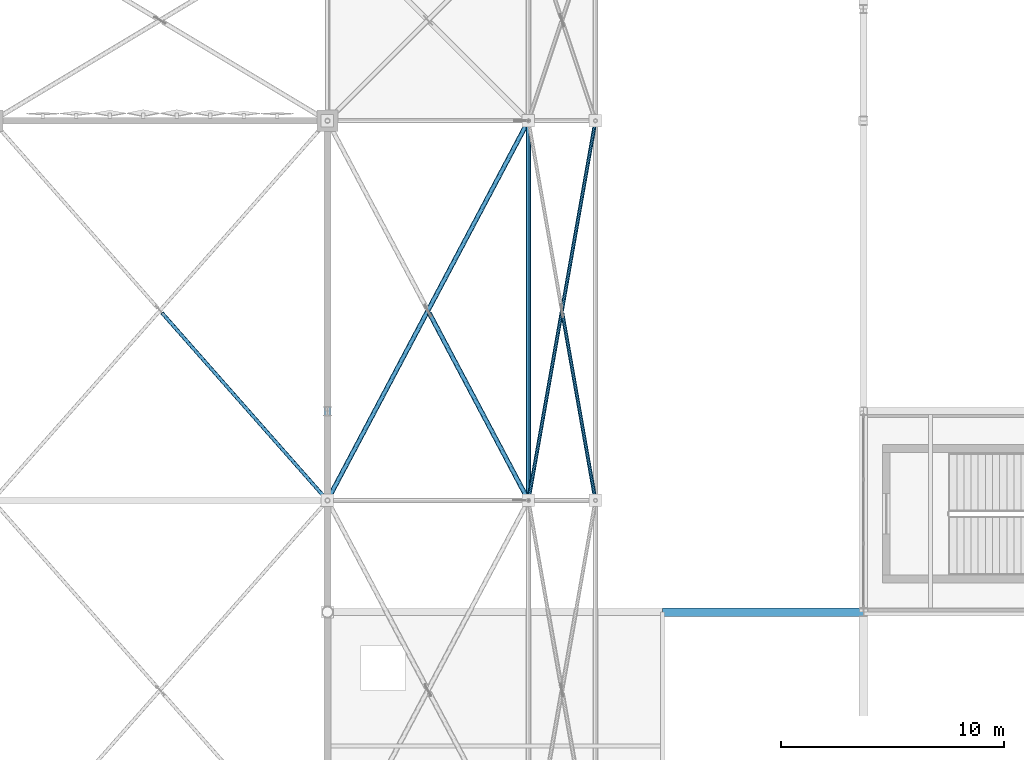
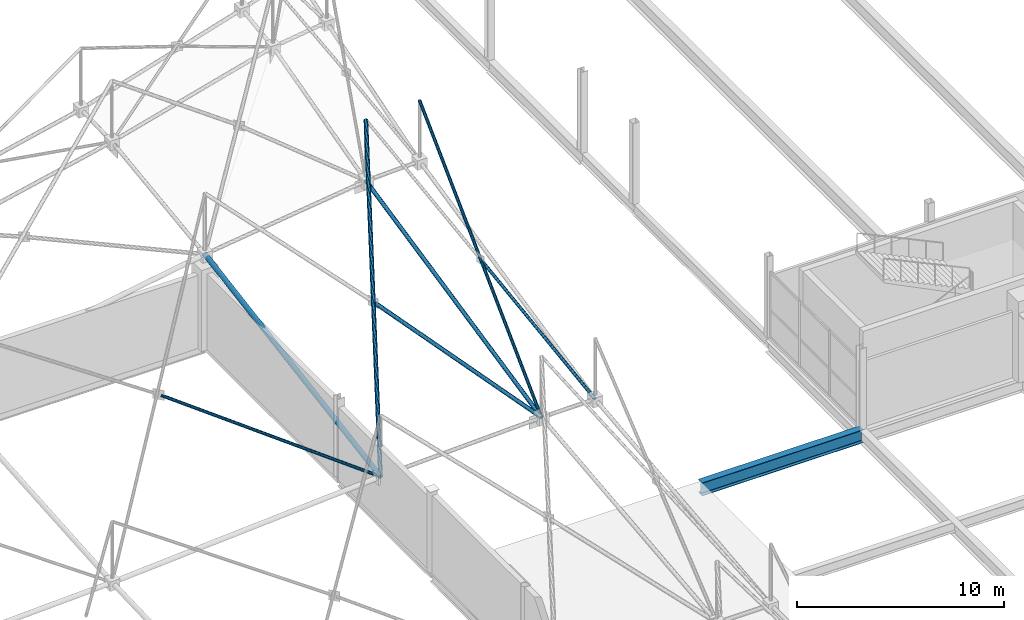
# One storey, part 147 of 224: 7 members, 1 beam.
"""IFC4 building model written with IfcOpenShell, lengths in metres."""

from ifc_helpers import new_model, si_unit, direction, frame, origin, origin_2d, place, context, subcontext, project, spatial, hollow_circle, i_section, extrude, material, material_profile, profile_set, type_object, element, save


model = new_model("IFC4")

# Units and contexts
model_context = context("Model", 3, precision=1e-05, world=origin(), true_north=direction((0.0, 1.0)))
body_context = subcontext(model_context, "Body", "Model", "MODEL_VIEW")
ifc_project = project(units=[si_unit("LENGTHUNIT", "METRE"), si_unit("AREAUNIT", "SQUARE_METRE"), si_unit("VOLUMEUNIT", "CUBIC_METRE"), si_unit("PLANEANGLEUNIT", "RADIAN"), si_unit("MASSUNIT", "GRAM", prefix="KILO")], contexts=[model_context])

# Site, building, storey
site_placement = place(None, origin())
site = spatial("IfcSite", under=ifc_project, at=site_placement, CompositionType="ELEMENT")
building_placement = place(site_placement, origin())
building = spatial("IfcBuilding", under=site, at=building_placement, Name="Qamarlyn Nura Convention Centre", CompositionType="ELEMENT")
storey_placement = place(building_placement, frame((0.0, 0.0, 10.800048828125)))
storey = spatial("IfcBuildingStorey", under=building, at=storey_placement, Name="L02", CompositionType="ELEMENT", Elevation=10.800048828125)

# Beam
ifc_material_1 = material(Name="Steel ASTM A992", Category="steel")
ifc_material_profile_1 = material_profile(ifc_material_1, i_section(OverallWidth=0.381103515625, OverallDepth=0.77294921875, WebThickness=0.0166015625, FlangeThickness=0.027587890625, FilletRadius=0.02001953125, at=origin_2d()), Name="W760X257")
ifc_profile_set_1 = profile_set([ifc_material_profile_1], Name="Steel ASTM A992")
beam_type = type_object("IfcBeamType", Name="BM-GIRD-760", PredefinedType="BEAM", material=ifc_profile_set_1)
beam_placement = place(storey_placement, frame((135.0, 81.0, -0.386474609375), z_axis=(1.0, 0.0, 0.0), x_axis=(0.0, 1.0, 0.0)))
element("IfcBeam", 1, at=beam_placement, inside=storey, type_object=beam_type, Name="L02 girder K 11-12", PredefinedType="BEAM", context=body_context, shape_type="SweptSolid", body=[
    extrude(i_section(OverallWidth=0.381103515625, OverallDepth=0.77294921875, WebThickness=0.0166015625, FlangeThickness=0.027587890625, FilletRadius=0.02001953125, at=origin_2d()), origin(), (0.0, 0.0, 1.0), 9.0),
])

# Members
ifc_material_2 = material(Name="Pearl-white PVDF steel ASTM A500 Grade C", Category="steel")
ifc_material_profile_2 = material_profile(ifc_material_2, hollow_circle(Radius=0.109619140625, WallThickness=0.010009765625, at=origin_2d()), Name="CHS219.1X10")
ifc_profile_set_2 = profile_set([ifc_material_profile_2], Name="Pearl-white PVDF steel ASTM A500 Grade C")
member_type_1 = type_object("IfcMemberType", Name="SF-BC-EAVE", PredefinedType="CHORD", material=ifc_profile_set_2)
member_1_placement = place(storey_placement, frame((129.0, 86.0, 2.83203125), z_axis=(0.0, 0.977439000532, 0.211217897533), x_axis=(-1.0, 0.0, 0.0)))
element("IfcMember", 2, at=member_1_placement, inside=storey, type_object=member_type_1, Name="ROOF TRUSS space frame bottom chord Y11-6", PredefinedType="CHORD", context=body_context, shape_type="SweptSolid", body=[
    extrude(hollow_circle(Radius=0.109619140625, WallThickness=0.010009765625, at=origin_2d()), origin(), (0.0, 0.0, 1.0), 17.392333984375),
])
ifc_material_profile_3 = material_profile(ifc_material_2, hollow_circle(Radius=0.136474609375, WallThickness=0.012451171875, at=origin_2d()), Name="CHS273X12.5")
ifc_profile_set_3 = profile_set([ifc_material_profile_3], Name="Pearl-white PVDF steel ASTM A500 Grade C")
member_type_2 = type_object("IfcMemberType", Name="SF-BC-MAIN", PredefinedType="CHORD", material=ifc_profile_set_3)
member_2_placement = place(storey_placement, frame((120.0, 86.0, 2.483642578125), z_axis=(0.0, 0.986419946618, 0.164242774315), x_axis=(-1.0, 0.0, 0.0)))
element("IfcMember", 3, at=member_2_placement, inside=storey, type_object=member_type_2, Name="ROOF TRUSS space frame bottom chord Y10-6", PredefinedType="CHORD", context=body_context, shape_type="SweptSolid", body=[
    extrude(hollow_circle(Radius=0.136474609375, WallThickness=0.012451171875, at=origin_2d()), origin(), (0.0, 0.0, 1.0), 17.234130859375),
])
ifc_material_profile_4 = material_profile(ifc_material_2, hollow_circle(Radius=0.109619140625, WallThickness=0.010009765625, at=origin_2d()), Name="CHS219.1X10")
ifc_profile_set_4 = profile_set([ifc_material_profile_4], Name="Pearl-white PVDF steel ASTM A500 Grade C")
member_type_3 = type_object("IfcMemberType", Name="SF-WEB-HVY", PredefinedType="BRACE", material=ifc_profile_set_4)
member_3_placement = place(storey_placement, frame((120.0, 86.0, 2.483642578125), z_axis=(0.434982662137, 0.821633917369, 0.368385381725), x_axis=(-0.883787916347, 0.467887720419, 0.0)))
element("IfcMember", 4, at=member_3_placement, inside=storey, type_object=member_type_3, Name="ROOF TRUSS space frame diagonal A 10-6", PredefinedType="BRACE", context=body_context, shape_type="SweptSolid", body=[
    extrude(hollow_circle(Radius=0.109619140625, WallThickness=0.010009765625, at=origin_2d()), origin(), (0.0, 0.0, 1.0), 20.6904296875),
])
member_4_placement = place(storey_placement, frame((129.0, 86.0, 2.83203125), z_axis=(-0.443189819504, 0.837149871976, 0.320566491914), x_axis=(-0.883791047079, -0.467881806766, 0.0)))
element("IfcMember", 5, at=member_4_placement, inside=storey, type_object=member_type_3, Name="ROOF TRUSS space frame split diagonal B1 10-6", PredefinedType="BRACE", context=body_context, shape_type="SweptSolid", body=[
    extrude(hollow_circle(Radius=0.109619140625, WallThickness=0.010009765625, at=origin_2d()), origin(), (0.0, 0.0, 1.0), 10.0126953125),
])
ifc_material_profile_5 = material_profile(ifc_material_2, hollow_circle(Radius=0.084228515625, WallThickness=0.008056640625, at=origin_2d()), Name="CHS168.3X8")
ifc_profile_set_5 = profile_set([ifc_material_profile_5], Name="Pearl-white PVDF steel ASTM A500 Grade C")
member_type_4 = type_object("IfcMemberType", Name="SF-WEB-STD", PredefinedType="BRACE", material=ifc_profile_set_5)
member_5_placement = place(storey_placement, frame((120.0, 86.0, 2.483642578125), z_axis=(-0.648042541641, 0.73444536651, 0.201570999491), x_axis=(-0.749836582836, -0.661623079284, 0.0)))
element("IfcMember", 6, at=member_5_placement, inside=storey, type_object=member_type_4, Name="ROOF TRUSS space frame split diagonal B1 9-6", PredefinedType="BRACE", context=body_context, shape_type="SweptSolid", body=[
    extrude(hollow_circle(Radius=0.084228515625, WallThickness=0.008056640625, at=origin_2d()), origin(), (0.0, 0.0, 1.0), 11.432373046875),
])
member_6_placement = place(storey_placement, frame((129.0, 86.0, 2.83203125), z_axis=(0.159811071257, 0.905596070457, 0.392881888965), x_axis=(-0.984783558818, 0.173785333909, 0.0)))
element("IfcMember", 7, at=member_6_placement, inside=storey, type_object=member_type_4, Name="ROOF TRUSS space frame diagonal A 11-6", PredefinedType="BRACE", context=body_context, shape_type="SweptSolid", body=[
    extrude(hollow_circle(Radius=0.084228515625, WallThickness=0.008056640625, at=origin_2d()), origin(), (0.0, 0.0, 1.0), 18.772216796875),
])
member_7_placement = place(storey_placement, frame((132.0, 86.0, 2.857666015625), z_axis=(-0.160104490669, 0.907267598729, 0.388885659756), x_axis=(-0.984783847895, -0.1737836958, 0.0)))
element("IfcMember", 8, at=member_7_placement, inside=storey, type_object=member_type_4, Name="ROOF TRUSS space frame split diagonal B1 11-6", PredefinedType="BRACE", context=body_context, shape_type="SweptSolid", body=[
    extrude(hollow_circle(Radius=0.084228515625, WallThickness=0.008056640625, at=origin_2d()), origin(), (0.0, 0.0, 1.0), 9.228515625),
])

save(model, "model.ifc")
